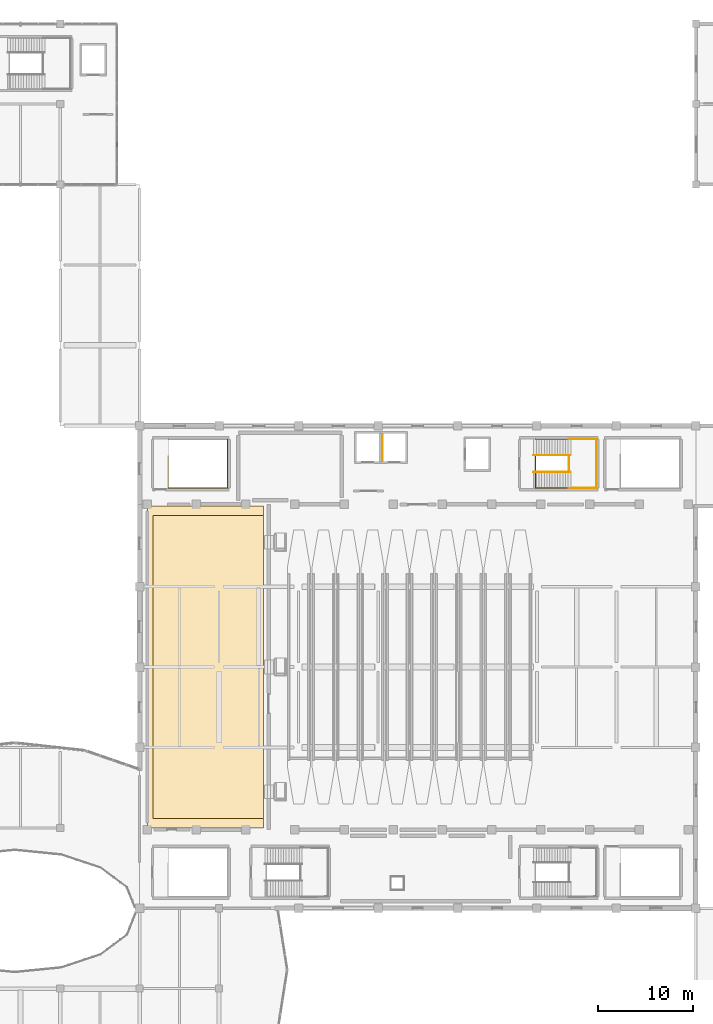
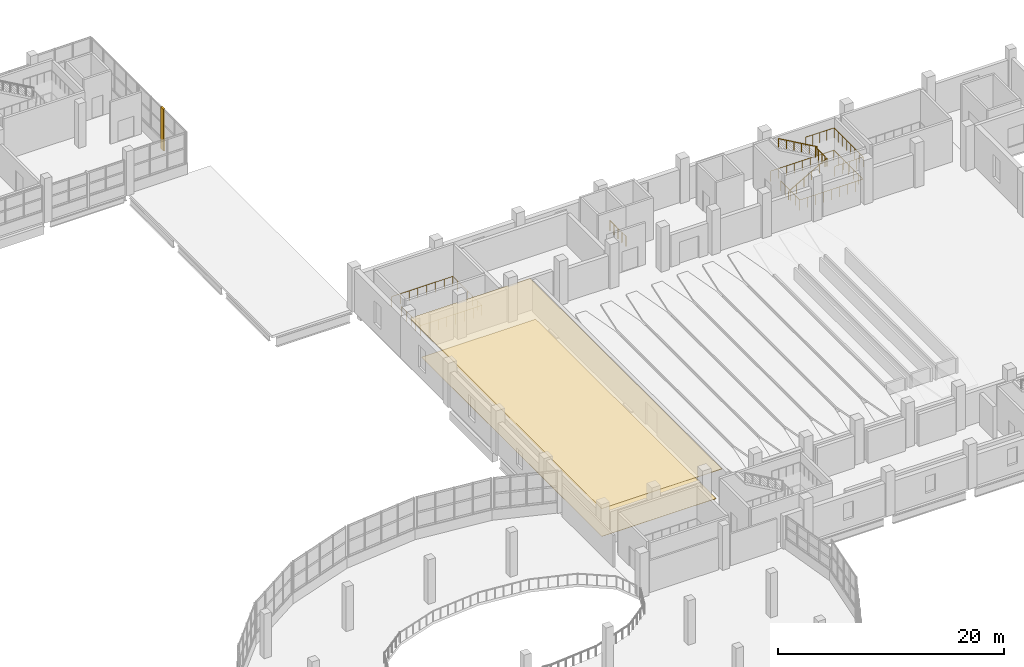
# One storey, part 113 of 117: 7 railings, 3 coverings.
"""IFC4 building model written with IfcOpenShell, lengths in metres."""

from ifc_helpers import new_model, si_unit, direction, frame, origin, origin_2d, place, context, subcontext, project, spatial, polyline, rectangle, circle, outline, extrude, material, layer, layer_set, type_object, element, save


model = new_model("IFC4")

# Units and contexts
model_context = context("Model", 3, precision=1e-05, world=origin(), true_north=direction((0.0, 1.0)))
body_context = subcontext(model_context, "Body", "Model", "MODEL_VIEW")
ifc_project = project(units=[si_unit("LENGTHUNIT", "METRE"), si_unit("AREAUNIT", "SQUARE_METRE"), si_unit("VOLUMEUNIT", "CUBIC_METRE"), si_unit("PLANEANGLEUNIT", "RADIAN"), si_unit("MASSUNIT", "GRAM", prefix="KILO")], contexts=[model_context])

# Site, building, storey
site_placement = place(None, origin())
site = spatial("IfcSite", under=ifc_project, at=site_placement, CompositionType="ELEMENT")
building_placement = place(site_placement, origin())
building = spatial("IfcBuilding", under=site, at=building_placement, Name="Solvento Point Concert Hall", CompositionType="ELEMENT")
storey_placement = place(building_placement, frame((0.0, 0.0, 5.39990234375)))
storey = spatial("IfcBuildingStorey", under=building, at=storey_placement, Name="L01", CompositionType="ELEMENT", Elevation=5.39990234375)

# Coverings
ifc_material_1 = material(Name="Suspended Timber-Slat Acoustic Ceiling", Category="wood")
ifc_layer_1 = layer(ifc_material_1, 0.050048828125)
ifc_layer_set_1 = layer_set([ifc_layer_1], Name="Suspended Timber-Slat Acoustic Ceiling")
covering_type_1 = type_object("IfcCoveringType", Name="AcousticCeiling_Timber", PredefinedType="CEILING", material=ifc_layer_set_1)
covering_1_placement = place(storey_placement, frame((0.0, 0.0, 3.800048828125)))
element("IfcCovering", 1, at=covering_1_placement, inside=storey, type_object=covering_type_1, Name="Acoustic timber reflector ceiling CLG-V1-STG", PredefinedType="CEILING", context=body_context, shape_type="SweptSolid", body=[
    extrude(outline(polyline([(75.199951171875, 51.0), (87.5, 51.0), (87.5, 85.0), (75.199951171875, 85.0), (75.199951171875, 51.0)])), origin(), (0.0, 0.0, 1.0), 0.050048828125),
])
ifc_material_2 = material(Name="Precast concrete C45/55", Category="concrete")
ifc_layer_2 = layer(ifc_material_2, 0.179931640625)
ifc_layer_set_2 = layer_set([ifc_layer_2], Name="Precast concrete C45/55")
covering_type_2 = type_object("IfcCoveringType", Name="BriseSoleilFin_Precast", PredefinedType="CLADDING", material=ifc_layer_set_2)
covering_2_placement = place(storey_placement, frame((72.0, 123.25, 0.0), z_axis=(0.0, 0.0, 1.0), x_axis=(1.0, 0.0, 0.0)))
element("IfcCovering", 2, at=covering_2_placement, inside=storey, type_object=covering_type_2, Name="Precast concrete vertical solar fin BSF-01", PredefinedType="CLADDING", context=body_context, shape_type="SweptSolid", body=[
    extrude(rectangle(XDim=0.179931640625, YDim=0.47998046875, at=origin_2d()), origin(), (0.0, 0.0, 1.0), 4.530029296875),
])

# Railings
ifc_material_3 = material(Name="Brushed Stainless Steel Balustrade", Category="steel")
railing_type_1 = type_object("IfcRailingType", Name="StairHandrail_915", PredefinedType="HANDRAIL", material=ifc_material_3)
railing_1_placement = place(storey_placement, frame((116.050048828125, 88.610107421875, 0.16015625)))
element("IfcRailing", 3, at=railing_1_placement, inside=storey, type_object=railing_type_1, Name="Stair handrail HR-01 ST-03 L01 F1", PredefinedType="HANDRAIL", context=body_context, shape_type="SweptSolid", body=[
    extrude(circle(Radius=0.0224609375, at=origin_2d()), frame((0.0, 0.0, 0.892578125), z_axis=(0.868239814368, 0.0, 0.496144761885), x_axis=(0.0, 1.0, 0.0)), (0.0, 0.0, 1.0), 4.514892578125),
    extrude(circle(Radius=0.01904296875, at=origin_2d()), origin(), (0.0, 0.0, 1.0), 0.8701171875),
    extrude(circle(Radius=0.01904296875, at=origin_2d()), frame((0.783935546875, 0.0, 0.447998046875)), (0.0, 0.0, 1.0), 0.8701171875),
    extrude(circle(Radius=0.01904296875, at=origin_2d()), frame((1.56787109375, 0.0, 0.89599609375)), (0.0, 0.0, 1.0), 0.8701171875),
    extrude(circle(Radius=0.01904296875, at=origin_2d()), frame((2.35205078125, 0.0, 1.343994140625)), (0.0, 0.0, 1.0), 0.8701171875),
    extrude(circle(Radius=0.01904296875, at=origin_2d()), frame((3.135986328125, 0.0, 1.7919921875)), (0.0, 0.0, 1.0), 0.8701171875),
    extrude(circle(Radius=0.01904296875, at=origin_2d()), frame((3.919921875, 0.0, 2.239990234375)), (0.0, 0.0, 1.0), 0.8701171875),
])
railing_2_placement = place(storey_placement, frame((119.969970703125, 90.389892578125, 2.56005859375)))
element("IfcRailing", 4, at=railing_2_placement, inside=storey, type_object=railing_type_1, Name="Stair handrail HR-01 ST-03 L01 F2", PredefinedType="HANDRAIL", context=body_context, shape_type="SweptSolid", body=[
    extrude(circle(Radius=0.0224609375, at=origin_2d()), frame((0.0, 0.0, 0.892578125), z_axis=(-0.868239814368, 0.0, 0.496144761885), x_axis=(0.0, -1.0, 0.0)), (0.0, 0.0, 1.0), 4.514892578125),
    extrude(circle(Radius=0.01904296875, at=origin_2d()), origin(), (0.0, 0.0, 1.0), 0.8701171875),
    extrude(circle(Radius=0.01904296875, at=origin_2d()), frame((-0.783935546875, 0.0, 0.447998046875)), (0.0, 0.0, 1.0), 0.8701171875),
    extrude(circle(Radius=0.01904296875, at=origin_2d()), frame((-1.56787109375, 0.0, 0.89599609375)), (0.0, 0.0, 1.0), 0.8701171875),
    extrude(circle(Radius=0.01904296875, at=origin_2d()), frame((-2.35205078125, 0.0, 1.343994140625)), (0.0, 0.0, 1.0), 0.8701171875),
    extrude(circle(Radius=0.01904296875, at=origin_2d()), frame((-3.135986328125, 0.0, 1.7919921875)), (0.0, 0.0, 1.0), 0.8701171875),
    extrude(circle(Radius=0.01904296875, at=origin_2d()), frame((-3.919921875, 0.0, 2.239990234375)), (0.0, 0.0, 1.0), 0.8701171875),
])
ifc_material_4 = material(Name="Brushed Stainless Steel Balustrade", Category="steel")
railing_type_2 = type_object("IfcRailingType", Name="StairWellGuard_1100", PredefinedType="BALUSTRADE", material=ifc_material_4)
railing_3_placement = place(storey_placement, frame((116.219970703125, 90.340087890625, 0.0)))
element("IfcRailing", 5, at=railing_3_placement, inside=storey, type_object=railing_type_2, Name="Stairwell guard GR-02 ST-03 L01", PredefinedType="BALUSTRADE", context=body_context, shape_type="SweptSolid", body=[
    extrude(circle(Radius=0.02392578125, at=origin_2d()), frame((0.0, 0.0, 1.09619140625), z_axis=(0.0, -1.0, 0.0), x_axis=(1.0, 0.0, 0.0)), (0.0, 0.0, 1.0), 3.420166015625),
    extrude(circle(Radius=0.02392578125, at=origin_2d()), frame((0.0, -3.420166015625, 1.09619140625), z_axis=(1.0, 0.0, 0.0), x_axis=(0.0, 1.0, 0.0)), (0.0, 0.0, 1.0), 6.4599609375),
    extrude(circle(Radius=0.02392578125, at=origin_2d()), frame((6.4599609375, -3.420166015625, 1.09619140625), z_axis=(0.0, 1.0, 0.0), x_axis=(-1.0, 0.0, 0.0)), (0.0, 0.0, 1.0), 5.16015625),
    extrude(circle(Radius=0.02392578125, at=origin_2d()), frame((6.4599609375, 1.739990234375, 1.09619140625), z_axis=(-1.0, 0.0, 0.0), x_axis=(0.0, -1.0, 0.0)), (0.0, 0.0, 1.0), 6.4599609375),
    extrude(circle(Radius=0.02392578125, at=origin_2d()), frame((0.0, 1.739990234375, 1.09619140625), z_axis=(0.0, 1.0, 0.0), x_axis=(-1.0, 0.0, 0.0)), (0.0, 0.0, 1.0), 0.02001953125),
    extrude(circle(Radius=0.02099609375, at=origin_2d()), origin(), (0.0, 0.0, 1.0), 1.072021484375),
    extrude(circle(Radius=0.02099609375, at=origin_2d()), frame((0.0, -0.85498046875, 0.0)), (0.0, 0.0, 1.0), 1.072021484375),
    extrude(circle(Radius=0.02099609375, at=origin_2d()), frame((0.0, -1.7099609375, 0.0)), (0.0, 0.0, 1.0), 1.072021484375),
    extrude(circle(Radius=0.02099609375, at=origin_2d()), frame((0.0, -2.565185546875, 0.0)), (0.0, 0.0, 1.0), 1.072021484375),
    extrude(circle(Radius=0.02099609375, at=origin_2d()), frame((0.0, -3.420166015625, 0.0)), (0.0, 0.0, 1.0), 1.072021484375),
    extrude(circle(Radius=0.02099609375, at=origin_2d()), frame((0.8076171875, -3.420166015625, 0.0)), (0.0, 0.0, 1.0), 1.072021484375),
    extrude(circle(Radius=0.02099609375, at=origin_2d()), frame((1.614990234375, -3.420166015625, 0.0)), (0.0, 0.0, 1.0), 1.072021484375),
    extrude(circle(Radius=0.02099609375, at=origin_2d()), frame((2.42236328125, -3.420166015625, 0.0)), (0.0, 0.0, 1.0), 1.072021484375),
    extrude(circle(Radius=0.02099609375, at=origin_2d()), frame((3.22998046875, -3.420166015625, 0.0)), (0.0, 0.0, 1.0), 1.072021484375),
    extrude(circle(Radius=0.02099609375, at=origin_2d()), frame((4.03759765625, -3.420166015625, 0.0)), (0.0, 0.0, 1.0), 1.072021484375),
    extrude(circle(Radius=0.02099609375, at=origin_2d()), frame((4.844970703125, -3.420166015625, 0.0)), (0.0, 0.0, 1.0), 1.072021484375),
    extrude(circle(Radius=0.02099609375, at=origin_2d()), frame((5.65234375, -3.420166015625, 0.0)), (0.0, 0.0, 1.0), 1.072021484375),
    extrude(circle(Radius=0.02099609375, at=origin_2d()), frame((6.4599609375, -3.420166015625, 0.0)), (0.0, 0.0, 1.0), 1.072021484375),
    extrude(circle(Radius=0.02099609375, at=origin_2d()), frame((6.4599609375, -2.56005859375, 0.0)), (0.0, 0.0, 1.0), 1.072021484375),
    extrude(circle(Radius=0.02099609375, at=origin_2d()), frame((6.4599609375, -1.7001953125, 0.0)), (0.0, 0.0, 1.0), 1.072021484375),
    extrude(circle(Radius=0.02099609375, at=origin_2d()), frame((6.4599609375, -0.840087890625, 0.0)), (0.0, 0.0, 1.0), 1.072021484375),
    extrude(circle(Radius=0.02099609375, at=origin_2d()), frame((6.4599609375, 0.02001953125, 0.0)), (0.0, 0.0, 1.0), 1.072021484375),
    extrude(circle(Radius=0.02099609375, at=origin_2d()), frame((6.4599609375, 0.8798828125, 0.0)), (0.0, 0.0, 1.0), 1.072021484375),
    extrude(circle(Radius=0.02099609375, at=origin_2d()), frame((6.4599609375, 1.739990234375, 0.0)), (0.0, 0.0, 1.0), 1.072021484375),
    extrude(circle(Radius=0.02099609375, at=origin_2d()), frame((5.65234375, 1.739990234375, 0.0)), (0.0, 0.0, 1.0), 1.072021484375),
    extrude(circle(Radius=0.02099609375, at=origin_2d()), frame((4.844970703125, 1.739990234375, 0.0)), (0.0, 0.0, 1.0), 1.072021484375),
    extrude(circle(Radius=0.02099609375, at=origin_2d()), frame((4.03759765625, 1.739990234375, 0.0)), (0.0, 0.0, 1.0), 1.072021484375),
    extrude(circle(Radius=0.02099609375, at=origin_2d()), frame((3.22998046875, 1.739990234375, 0.0)), (0.0, 0.0, 1.0), 1.072021484375),
    extrude(circle(Radius=0.02099609375, at=origin_2d()), frame((2.42236328125, 1.739990234375, 0.0)), (0.0, 0.0, 1.0), 1.072021484375),
    extrude(circle(Radius=0.02099609375, at=origin_2d()), frame((1.614990234375, 1.739990234375, 0.0)), (0.0, 0.0, 1.0), 1.072021484375),
    extrude(circle(Radius=0.02099609375, at=origin_2d()), frame((0.8076171875, 1.739990234375, 0.0)), (0.0, 0.0, 1.0), 1.072021484375),
    extrude(circle(Radius=0.02099609375, at=origin_2d()), frame((0.0, 1.739990234375, 0.0)), (0.0, 0.0, 1.0), 1.072021484375),
    extrude(circle(Radius=0.02099609375, at=origin_2d()), frame((0.0, 1.760009765625, 0.0)), (0.0, 0.0, 1.0), 1.072021484375),
])
railing_4_placement = place(storey_placement, frame((119.800048828125, 86.89990234375, 2.400146484375)))
element("IfcRailing", 6, at=railing_4_placement, inside=storey, type_object=railing_type_2, Name="Half-landing perimeter guard GR-02 ST-03 L01", PredefinedType="BALUSTRADE", context=body_context, shape_type="SweptSolid", body=[
    extrude(circle(Radius=0.02392578125, at=origin_2d()), frame((0.0, 0.0, 1.09619140625), z_axis=(0.999976171564, 0.006903354611, 0.0), x_axis=(-0.006903354611, 0.999976171564, 0.0)), (0.0, 0.0, 1.0), 2.89990234375),
    extrude(circle(Radius=0.02392578125, at=origin_2d()), frame((2.89990234375, 0.02001953125, 1.09619140625), z_axis=(0.0, 1.0, 0.0), x_axis=(-1.0, 0.0, 0.0)), (0.0, 0.0, 1.0), 5.16015625),
    extrude(circle(Radius=0.02392578125, at=origin_2d()), frame((2.89990234375, 5.18017578125, 1.09619140625), z_axis=(-0.999976171564, 0.006903354611, 0.0), x_axis=(-0.006903354611, -0.999976171564, 0.0)), (0.0, 0.0, 1.0), 2.89990234375),
    extrude(circle(Radius=0.02099609375, at=origin_2d()), origin(), (0.0, 0.0, 1.0), 1.072021484375),
    extrude(circle(Radius=0.02099609375, at=origin_2d()), frame((0.72509765625, 0.0048828125, 0.0)), (0.0, 0.0, 1.0), 1.072021484375),
    extrude(circle(Radius=0.02099609375, at=origin_2d()), frame((1.449951171875, 0.010009765625, 0.0)), (0.0, 0.0, 1.0), 1.072021484375),
    extrude(circle(Radius=0.02099609375, at=origin_2d()), frame((2.1748046875, 0.01513671875, 0.0)), (0.0, 0.0, 1.0), 1.072021484375),
    extrude(circle(Radius=0.02099609375, at=origin_2d()), frame((2.89990234375, 0.02001953125, 0.0)), (0.0, 0.0, 1.0), 1.072021484375),
    extrude(circle(Radius=0.02099609375, at=origin_2d()), frame((2.89990234375, 0.757080078125, 0.0)), (0.0, 0.0, 1.0), 1.072021484375),
    extrude(circle(Radius=0.02099609375, at=origin_2d()), frame((2.89990234375, 1.494384765625, 0.0)), (0.0, 0.0, 1.0), 1.072021484375),
    extrude(circle(Radius=0.02099609375, at=origin_2d()), frame((2.89990234375, 2.2314453125, 0.0)), (0.0, 0.0, 1.0), 1.072021484375),
    extrude(circle(Radius=0.02099609375, at=origin_2d()), frame((2.89990234375, 2.96875, 0.0)), (0.0, 0.0, 1.0), 1.072021484375),
    extrude(circle(Radius=0.02099609375, at=origin_2d()), frame((2.89990234375, 3.705810546875, 0.0)), (0.0, 0.0, 1.0), 1.072021484375),
    extrude(circle(Radius=0.02099609375, at=origin_2d()), frame((2.89990234375, 4.443115234375, 0.0)), (0.0, 0.0, 1.0), 1.072021484375),
    extrude(circle(Radius=0.02099609375, at=origin_2d()), frame((2.89990234375, 5.18017578125, 0.0)), (0.0, 0.0, 1.0), 1.072021484375),
    extrude(circle(Radius=0.02099609375, at=origin_2d()), frame((2.1748046875, 5.18505859375, 0.0)), (0.0, 0.0, 1.0), 1.072021484375),
    extrude(circle(Radius=0.02099609375, at=origin_2d()), frame((1.449951171875, 5.190185546875, 0.0)), (0.0, 0.0, 1.0), 1.072021484375),
    extrude(circle(Radius=0.02099609375, at=origin_2d()), frame((0.72509765625, 5.1953125, 0.0)), (0.0, 0.0, 1.0), 1.072021484375),
    extrude(circle(Radius=0.02099609375, at=origin_2d()), frame((0.0, 5.2001953125, 0.0)), (0.0, 0.0, 1.0), 1.072021484375),
])
railing_5_placement = place(storey_placement, frame((119.800048828125, 88.659912109375, 2.400146484375)))
element("IfcRailing", 7, at=railing_5_placement, inside=storey, type_object=railing_type_2, Name="Half-landing slot guard GR-02 ST-03 L01", PredefinedType="BALUSTRADE", context=body_context, shape_type="SweptSolid", body=[
    extrude(circle(Radius=0.02392578125, at=origin_2d()), frame((0.0, 0.0, 1.09619140625), z_axis=(0.0, 1.0, 0.0), x_axis=(-1.0, 0.0, 0.0)), (0.0, 0.0, 1.0), 1.68017578125),
    extrude(circle(Radius=0.02099609375, at=origin_2d()), origin(), (0.0, 0.0, 1.0), 1.072021484375),
    extrude(circle(Radius=0.02099609375, at=origin_2d()), frame((0.0, 0.56005859375, 0.0)), (0.0, 0.0, 1.0), 1.072021484375),
    extrude(circle(Radius=0.02099609375, at=origin_2d()), frame((0.0, 1.1201171875, 0.0)), (0.0, 0.0, 1.0), 1.072021484375),
    extrude(circle(Radius=0.02099609375, at=origin_2d()), frame((0.0, 1.68017578125, 0.0)), (0.0, 0.0, 1.0), 1.072021484375),
])
railing_6_placement = place(storey_placement, frame((77.419921875, 90.340087890625, 0.0)))
element("IfcRailing", 8, at=railing_6_placement, inside=storey, type_object=railing_type_2, Name="Stairwell guard GR-02 VOM-03 L01", PredefinedType="BALUSTRADE", context=body_context, shape_type="SweptSolid", body=[
    extrude(circle(Radius=0.02392578125, at=origin_2d()), frame((0.0, 0.0, 1.09619140625), z_axis=(0.0, -1.0, 0.0), x_axis=(1.0, 0.0, 0.0)), (0.0, 0.0, 1.0), 3.420166015625),
    extrude(circle(Radius=0.02392578125, at=origin_2d()), frame((0.0, -3.420166015625, 1.09619140625), z_axis=(1.0, 0.0, 0.0), x_axis=(0.0, 1.0, 0.0)), (0.0, 0.0, 1.0), 6.260009765625),
    extrude(circle(Radius=0.02392578125, at=origin_2d()), frame((6.260009765625, -3.420166015625, 1.09619140625), z_axis=(0.0, 1.0, 0.0), x_axis=(-1.0, 0.0, 0.0)), (0.0, 0.0, 1.0), 5.16015625),
    extrude(circle(Radius=0.02392578125, at=origin_2d()), frame((6.260009765625, 1.739990234375, 1.09619140625), z_axis=(-1.0, 0.0, 0.0), x_axis=(0.0, -1.0, 0.0)), (0.0, 0.0, 1.0), 6.260009765625),
    extrude(circle(Radius=0.02392578125, at=origin_2d()), frame((0.0, 1.739990234375, 1.09619140625), z_axis=(0.0, 1.0, 0.0), x_axis=(-1.0, 0.0, 0.0)), (0.0, 0.0, 1.0), 0.02001953125),
    extrude(circle(Radius=0.02099609375, at=origin_2d()), origin(), (0.0, 0.0, 1.0), 1.072021484375),
    extrude(circle(Radius=0.02099609375, at=origin_2d()), frame((0.0, -0.85498046875, 0.0)), (0.0, 0.0, 1.0), 1.072021484375),
    extrude(circle(Radius=0.02099609375, at=origin_2d()), frame((0.0, -1.7099609375, 0.0)), (0.0, 0.0, 1.0), 1.072021484375),
    extrude(circle(Radius=0.02099609375, at=origin_2d()), frame((0.0, -2.565185546875, 0.0)), (0.0, 0.0, 1.0), 1.072021484375),
    extrude(circle(Radius=0.02099609375, at=origin_2d()), frame((0.0, -3.420166015625, 0.0)), (0.0, 0.0, 1.0), 1.072021484375),
    extrude(circle(Radius=0.02099609375, at=origin_2d()), frame((0.894287109375, -3.420166015625, 0.0)), (0.0, 0.0, 1.0), 1.072021484375),
    extrude(circle(Radius=0.02099609375, at=origin_2d()), frame((1.78857421875, -3.420166015625, 0.0)), (0.0, 0.0, 1.0), 1.072021484375),
    extrude(circle(Radius=0.02099609375, at=origin_2d()), frame((2.682861328125, -3.420166015625, 0.0)), (0.0, 0.0, 1.0), 1.072021484375),
    extrude(circle(Radius=0.02099609375, at=origin_2d()), frame((3.5771484375, -3.420166015625, 0.0)), (0.0, 0.0, 1.0), 1.072021484375),
    extrude(circle(Radius=0.02099609375, at=origin_2d()), frame((4.471435546875, -3.420166015625, 0.0)), (0.0, 0.0, 1.0), 1.072021484375),
    extrude(circle(Radius=0.02099609375, at=origin_2d()), frame((5.36572265625, -3.420166015625, 0.0)), (0.0, 0.0, 1.0), 1.072021484375),
    extrude(circle(Radius=0.02099609375, at=origin_2d()), frame((6.260009765625, -3.420166015625, 0.0)), (0.0, 0.0, 1.0), 1.072021484375),
    extrude(circle(Radius=0.02099609375, at=origin_2d()), frame((6.260009765625, -2.56005859375, 0.0)), (0.0, 0.0, 1.0), 1.072021484375),
    extrude(circle(Radius=0.02099609375, at=origin_2d()), frame((6.260009765625, -1.7001953125, 0.0)), (0.0, 0.0, 1.0), 1.072021484375),
    extrude(circle(Radius=0.02099609375, at=origin_2d()), frame((6.260009765625, -0.840087890625, 0.0)), (0.0, 0.0, 1.0), 1.072021484375),
    extrude(circle(Radius=0.02099609375, at=origin_2d()), frame((6.260009765625, 0.02001953125, 0.0)), (0.0, 0.0, 1.0), 1.072021484375),
    extrude(circle(Radius=0.02099609375, at=origin_2d()), frame((6.260009765625, 0.8798828125, 0.0)), (0.0, 0.0, 1.0), 1.072021484375),
    extrude(circle(Radius=0.02099609375, at=origin_2d()), frame((6.260009765625, 1.739990234375, 0.0)), (0.0, 0.0, 1.0), 1.072021484375),
    extrude(circle(Radius=0.02099609375, at=origin_2d()), frame((5.36572265625, 1.739990234375, 0.0)), (0.0, 0.0, 1.0), 1.072021484375),
    extrude(circle(Radius=0.02099609375, at=origin_2d()), frame((4.471435546875, 1.739990234375, 0.0)), (0.0, 0.0, 1.0), 1.072021484375),
    extrude(circle(Radius=0.02099609375, at=origin_2d()), frame((3.5771484375, 1.739990234375, 0.0)), (0.0, 0.0, 1.0), 1.072021484375),
    extrude(circle(Radius=0.02099609375, at=origin_2d()), frame((2.682861328125, 1.739990234375, 0.0)), (0.0, 0.0, 1.0), 1.072021484375),
    extrude(circle(Radius=0.02099609375, at=origin_2d()), frame((1.78857421875, 1.739990234375, 0.0)), (0.0, 0.0, 1.0), 1.072021484375),
    extrude(circle(Radius=0.02099609375, at=origin_2d()), frame((0.894287109375, 1.739990234375, 0.0)), (0.0, 0.0, 1.0), 1.072021484375),
    extrude(circle(Radius=0.02099609375, at=origin_2d()), frame((0.0, 1.739990234375, 0.0)), (0.0, 0.0, 1.0), 1.072021484375),
    extrude(circle(Radius=0.02099609375, at=origin_2d()), frame((0.0, 1.760009765625, 0.0)), (0.0, 0.0, 1.0), 1.072021484375),
])
ifc_material_5 = material(Name="Brushed Stainless Steel Balustrade", Category="steel")
railing_type_3 = type_object("IfcRailingType", Name="TerraceBalustrade_1100", PredefinedType="BALUSTRADE", material=ifc_material_5)
railing_7_placement = place(storey_placement, frame((100.06005859375, 92.610107421875, 0.0)))
element("IfcRailing", 9, at=railing_7_placement, inside=storey, type_object=railing_type_3, Name="Guard balustrade GR-01 L01", PredefinedType="BALUSTRADE", context=body_context, shape_type="SweptSolid", body=[
    extrude(circle(Radius=0.02392578125, at=origin_2d()), frame((0.0, 0.0, 1.09619140625), z_axis=(0.0, -1.0, 0.0), x_axis=(1.0, 0.0, 0.0)), (0.0, 0.0, 1.0), 2.820068359375),
    extrude(circle(Radius=0.02099609375, at=origin_2d()), origin(), (0.0, 0.0, 1.0), 1.072021484375),
    extrude(circle(Radius=0.02099609375, at=origin_2d()), frame((0.0, -0.705078125, 0.0)), (0.0, 0.0, 1.0), 1.072021484375),
    extrude(circle(Radius=0.02099609375, at=origin_2d()), frame((0.0, -1.41015625, 0.0)), (0.0, 0.0, 1.0), 1.072021484375),
    extrude(circle(Radius=0.02099609375, at=origin_2d()), frame((0.0, -2.114990234375, 0.0)), (0.0, 0.0, 1.0), 1.072021484375),
    extrude(circle(Radius=0.02099609375, at=origin_2d()), frame((0.0, -2.820068359375, 0.0)), (0.0, 0.0, 1.0), 1.072021484375),
])

# Covering
ifc_material_6 = material(Name="Coral-Sand Terrazzo Flooring")
ifc_layer_3 = layer(ifc_material_6, 0.02490234375)
ifc_layer_set_3 = layer_set([ifc_layer_3], Name="Coral-Sand Terrazzo Flooring")
covering_type_3 = type_object("IfcCoveringType", Name="TerrazzoFlooring_25", PredefinedType="FLOORING", material=ifc_layer_set_3)
covering_3_placement = place(storey_placement, origin())
element("IfcCovering", 10, at=covering_3_placement, inside=storey, type_object=covering_type_3, Name="Coral-sand terrazzo floor finish FLR-L01-STG", PredefinedType="FLOORING", context=body_context, shape_type="SweptSolid", body=[
    extrude(outline(polyline([(75.800048828125, 52.0), (87.5, 52.0), (87.5, 84.0), (75.800048828125, 84.0), (75.800048828125, 52.0)])), origin(), (0.0, 0.0, 1.0), 0.025146484375),
])

save(model, "model.ifc")
